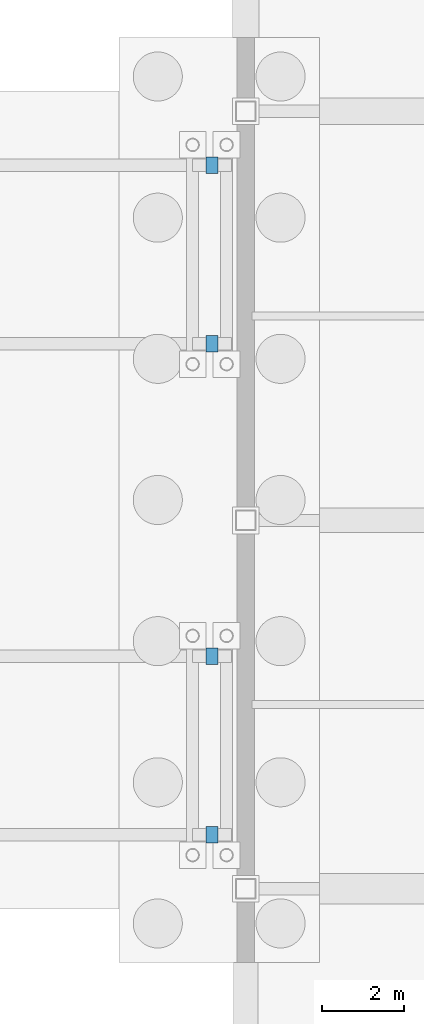
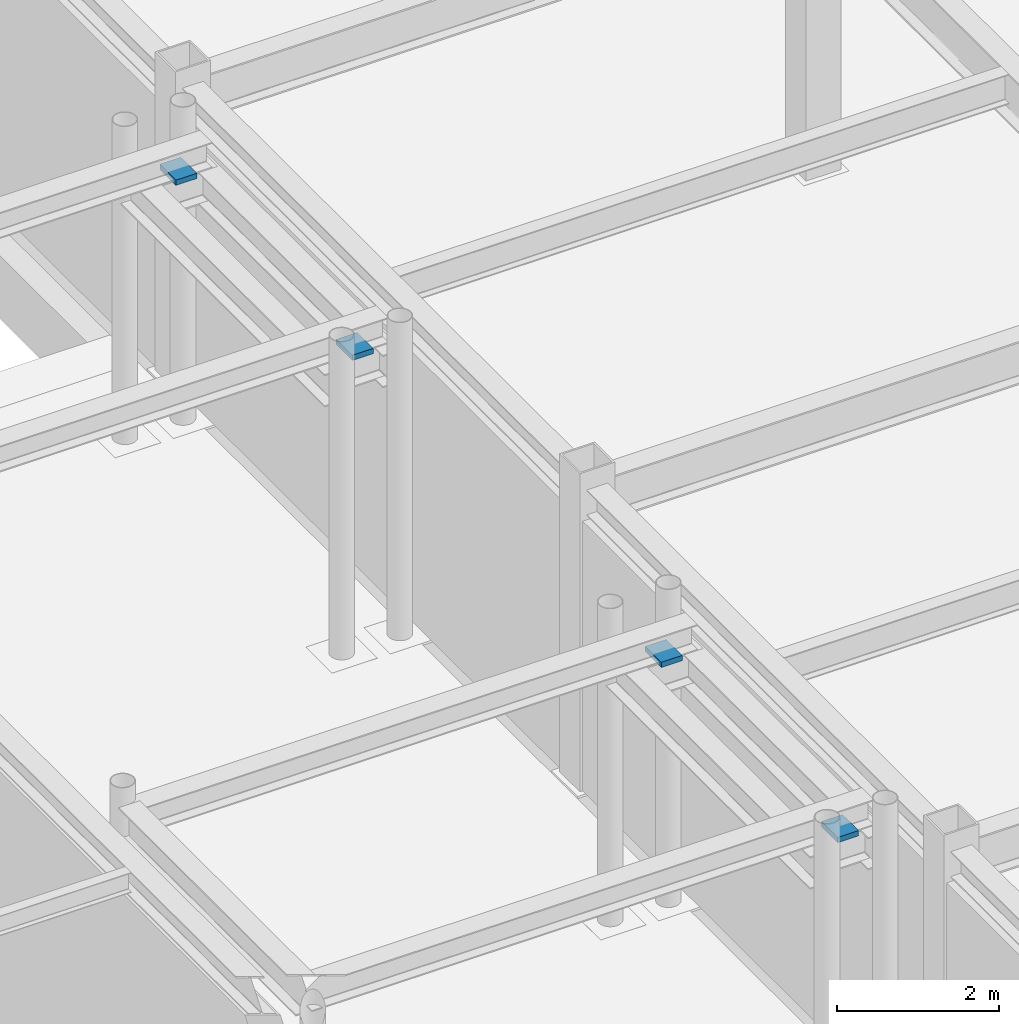
# One storey, part 60 of 74: 4 discrete accessories.
"""IFC4 building model written with IfcOpenShell, lengths in metres."""

import ifcopenshell
import ifcopenshell.guid

model = None  # the IFC model being written
_history = None  # IfcOwnerHistory: only IFC2X3 demands one
_inside = {}  # id of a spatial element -> (the spatial element, [elements in it])
_under = {}  # id of a project, library or spatial element -> (it, [spatial elements below it])
_declared = {}  # id of a project -> (the project, [libraries it declares])
_typed = {}  # id of a type object -> (the type object, [elements of that type])
_made_of = {}  # id of a material, layer set ... -> (it, [elements and type objects made of it])


def new_model(schema):
    """Start an empty IFC model of exactly this schema.

    Asked for "IFC4X3", IfcOpenShell would pick the latest addendum, in which some entities
    have other attributes; the version numbers below select the first issue.
    IFC2X3 requires an IfcOwnerHistory on every rooted entity: one is made here for all.
    """
    global model, _history
    if schema == "IFC4X3":
        model = ifcopenshell.file(schema_version=(4, 3, 0, 0))
    else:
        model = ifcopenshell.file(schema=schema)
    _inside.clear()
    _under.clear()
    _declared.clear()
    _typed.clear()
    _made_of.clear()
    _history = None
    if model.schema == "IFC2X3":
        org = make("IfcOrganization", Name="unknown")
        user = make(
            "IfcPersonAndOrganization",
            ThePerson=make("IfcPerson", FamilyName="unknown"),
            TheOrganization=org,
        )
        app = make(
            "IfcApplication",
            ApplicationDeveloper=org,
            Version="unknown",
            ApplicationFullName="unknown",
            ApplicationIdentifier="unknown",
        )
        _history = make(
            "IfcOwnerHistory",
            OwningUser=user,
            OwningApplication=app,
            ChangeAction="ADDED",
            CreationDate=0,
        )
    return model


def make(cls, **values):
    """One entity of the class cls with the attributes given. An attribute that is None is left unset."""
    return model.create_entity(
        cls, **{name: value for name, value in values.items() if value is not None}
    )


def rooted(cls, **values):
    """An entity with a GlobalId (a new one), such as an element, a storey or a relation."""
    return make(cls, GlobalId=ifcopenshell.guid.new(), OwnerHistory=_history, **values)


def si_unit(unit_type, name, prefix=None):
    """IfcSIUnit, for example si_unit("LENGTHUNIT", "METRE", prefix="MILLI")."""
    return make("IfcSIUnit", UnitType=unit_type, Prefix=prefix, Name=name)


def assignment(units):
    """IfcUnitAssignment: the units of a project."""
    return None if units is None else make("IfcUnitAssignment", Units=units)


def point(xyz):
    """IfcCartesianPoint."""
    return None if xyz is None else make("IfcCartesianPoint", Coordinates=xyz)


def direction(xyz):
    """IfcDirection."""
    return None if xyz is None else make("IfcDirection", DirectionRatios=xyz)


def frame(location, z_axis=None, x_axis=None):
    """IfcAxis2Placement3D, a coordinate frame: its origin and axes. An axis left out is left unset."""
    return make(
        "IfcAxis2Placement3D",
        Location=point(location),
        Axis=direction(z_axis),
        RefDirection=direction(x_axis),
    )


def frame_2d(location, x_axis=None):
    """IfcAxis2Placement2D, a coordinate frame in the plane: its origin and x axis."""
    return make(
        "IfcAxis2Placement2D", Location=point(location), RefDirection=direction(x_axis)
    )


def origin():
    """The frame at (0, 0, 0) with its axes left unset."""
    return frame((0.0, 0.0, 0.0))


def origin_2d():
    """The frame at (0, 0) in the plane with its x axis left unset."""
    return frame_2d((0.0, 0.0))


def place(relative_to, where):
    """IfcLocalPlacement: puts the frame where relative to a parent placement (None: the world)."""
    return make(
        "IfcLocalPlacement", PlacementRelTo=relative_to, RelativePlacement=where
    )


def context(
    kind, dimensions, precision=None, world=None, true_north=None, identifier=None
):
    """IfcGeometricRepresentationContext, for example the 3D "Model" context."""
    return make(
        "IfcGeometricRepresentationContext",
        ContextIdentifier=identifier,
        ContextType=kind,
        CoordinateSpaceDimension=dimensions,
        Precision=precision,
        WorldCoordinateSystem=world,
        TrueNorth=true_north,
    )


def subcontext(parent, identifier, kind, view, scale=None):
    """IfcGeometricRepresentationSubContext, for example "Body" below "Model"."""
    return make(
        "IfcGeometricRepresentationSubContext",
        ContextIdentifier=identifier,
        ContextType=kind,
        ParentContext=parent,
        TargetScale=scale,
        TargetView=view,
    )


def project(units=None, contexts=None):
    """IfcProject with its units and contexts."""
    return rooted(
        "IfcProject",
        Name="project",
        RepresentationContexts=contexts,
        UnitsInContext=assignment(units),
    )


def spatial(cls, under=None, at=None, **own):
    """A site, building, storey or space (cls), placed at a placement, below another one or the project."""
    s = rooted(cls, ObjectPlacement=at, **own)
    if under is not None:
        _under.setdefault(under.id(), (under, []))[1].append(s)
    return s


def profile(cls, at=None, kind="AREA", **sizes):
    """A parametric profile (cls). Its sizes go by their IFC names, for example OverallWidth=200.0."""
    return make(cls, ProfileType=kind, Position=at, **sizes)


def rectangle(**sizes):
    """IfcRectangleProfileDef."""
    return profile("IfcRectangleProfileDef", **sizes)


def extrude(swept, where, along, depth):
    """IfcExtrudedAreaSolid: the profile swept, set in the frame where, extruded along a direction by depth."""
    return make(
        "IfcExtrudedAreaSolid",
        SweptArea=swept,
        Position=where,
        ExtrudedDirection=direction(along),
        Depth=depth,
    )


def shape(context_of_items, identifier, shape_type, items):
    """IfcShapeRepresentation: the items that make up one representation, for example the "Body"."""
    return make(
        "IfcShapeRepresentation",
        ContextOfItems=context_of_items,
        RepresentationIdentifier=identifier,
        RepresentationType=shape_type,
        Items=items,
    )


def material(Name=None, Category=None):
    """IfcMaterial."""
    return make("IfcMaterial", Name=Name, Category=Category)


def made_of(thing, what):
    """Note that an element or type object is made of a material, layer set ...; save() writes the relation."""
    if what is not None:
        _made_of.setdefault(what.id(), (what, []))[1].append(thing)
    return thing


def type_object(cls, material=None, **own):
    """A type object (cls), such as IfcWallType, which elements share."""
    return made_of(rooted(cls, **own), material)


def element(
    cls,
    number,
    at=None,
    inside=None,
    cuts=None,
    type_object=None,
    material=None,
    context=None,
    identifier="Body",
    shape_type=None,
    held_by="IfcProductDefinitionShape",
    body=None,
    shapes=None,
    **own,
):
    """One element of the class cls, such as IfcWall. Its Tag is "e" and its number.

    at: its placement. inside: the storey or other place that contains it. cuts: it is an
    opening in that element (IfcRelVoidsElement). A single representation is given by context,
    identifier, shape_type and body (its items); several are given by shapes. held_by: the class
    of the entity that holds the representations. save() writes the other relations.
    """
    e = rooted(cls, Tag="e%d" % number, ObjectPlacement=at, **own)
    if body is not None:
        shapes = [shape(context, identifier, shape_type, body)]
    if shapes is not None:
        e.Representation = make(held_by, Representations=shapes)
    if inside is not None:
        _inside.setdefault(inside.id(), (inside, []))[1].append(e)
    if cuts is not None:
        rooted(
            "IfcRelVoidsElement", RelatingBuildingElement=cuts, RelatedOpeningElement=e
        )
    if type_object is not None:
        _typed.setdefault(type_object.id(), (type_object, []))[1].append(e)
    return made_of(e, material)


def aggregate(whole, parts):
    """IfcRelAggregates: a whole, such as a stair, and the parts it consists of."""
    return rooted("IfcRelAggregates", RelatingObject=whole, RelatedObjects=parts)


def save(model, path):
    """Write the relations noted so far, then the file.

    IfcRelAggregates (storeys below a building ...), IfcRelContainedInSpatialStructure (elements
    in a storey), IfcRelDefinesByType, IfcRelAssociatesMaterial and IfcRelDeclares: one each for
    every whole, place, type object, material and project.
    """
    for whole, parts in _under.values():
        aggregate(whole, parts)
    for where, things in _inside.values():
        rooted(
            "IfcRelContainedInSpatialStructure",
            RelatedElements=things,
            RelatingStructure=where,
        )
    for kind, things in _typed.values():
        rooted("IfcRelDefinesByType", RelatedObjects=things, RelatingType=kind)
    for what, things in _made_of.values():
        rooted("IfcRelAssociatesMaterial", RelatedObjects=things, RelatingMaterial=what)
    for by, libraries in _declared.values():
        rooted("IfcRelDeclares", RelatingContext=by, RelatedDefinitions=libraries)
    model.write(path)


model = new_model("IFC4")

# Units and contexts
model_context = context("Model", 3, precision=1e-05, world=origin(), true_north=direction((0.0, 1.0)))
body_context = subcontext(model_context, "Body", "Model", "MODEL_VIEW")
ifc_project = project(units=[si_unit("LENGTHUNIT", "METRE"), si_unit("AREAUNIT", "SQUARE_METRE"), si_unit("VOLUMEUNIT", "CUBIC_METRE"), si_unit("PLANEANGLEUNIT", "RADIAN"), si_unit("MASSUNIT", "GRAM", prefix="KILO")], contexts=[model_context])

# Site, building, storey
site_placement = place(None, origin())
site = spatial("IfcSite", under=ifc_project, at=site_placement, CompositionType="ELEMENT")
building_placement = place(site_placement, origin())
building = spatial("IfcBuilding", under=site, at=building_placement, Name="Suzunagisa Mobility Hub", CompositionType="ELEMENT")
storey_placement = place(building_placement, frame((0.0, 0.0, -4.800048828125)))
storey = spatial("IfcBuildingStorey", under=building, at=storey_placement, Name="B1", CompositionType="ELEMENT", Elevation=-4.800048828125)

# Discrete accessories
ifc_material = material(Name="PTFE Elastomeric Bearing Assembly")
discrete_accessory_type = type_object("IfcDiscreteAccessoryType", Name="Unguided PTFE Sliding Bearing SBG-01", PredefinedType="SHOE", material=ifc_material)
for number, where, z_axis, x_axis, name in (
    (1, (44.175048828125, 90.320068359375, 4.110107421875), (0.0, 0.0, 1.0), (1.0, 0.0, 0.0), "Skybridge PTFE Sliding Bearing VRL-L00-S-A"),
    (2, (44.175048828125, 94.679931640625, 4.110107421875), (0.0, 0.0, 1.0), (1.0, 0.0, 0.0), "Skybridge PTFE Sliding Bearing VRL-L00-S-B"),
    (3, (44.175048828125, 102.320068359375, 4.110107421875), (0.0, 0.0, 1.0), (1.0, 0.0, 0.0), "Skybridge PTFE Sliding Bearing VRL-L00-N-A"),
    (4, (44.175048828125, 106.679931640625, 4.110107421875), (0.0, 0.0, 1.0), (1.0, 0.0, 0.0), "Skybridge PTFE Sliding Bearing VRL-L00-N-B"),
):
    element("IfcDiscreteAccessory", number, at=place(storey_placement, frame(where, z_axis=z_axis, x_axis=x_axis)), inside=storey, type_object=discrete_accessory_type, Name=name, PredefinedType="SHOE", context=body_context, shape_type="SweptSolid", body=[
        extrude(rectangle(XDim=0.300048828125, YDim=0.39990234375, at=origin_2d()), origin(), (0.0, 0.0, 1.0), 0.080078125),
    ])

save(model, "model.ifc")
